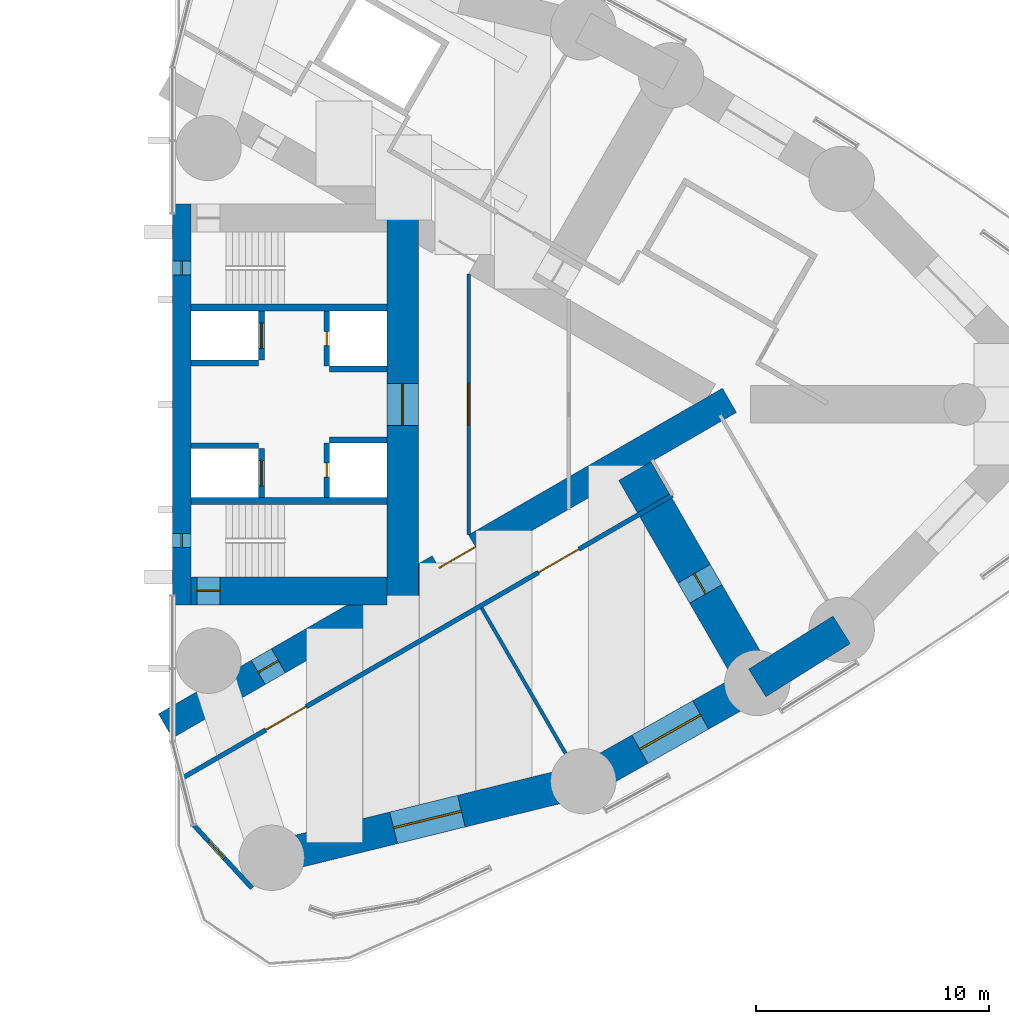
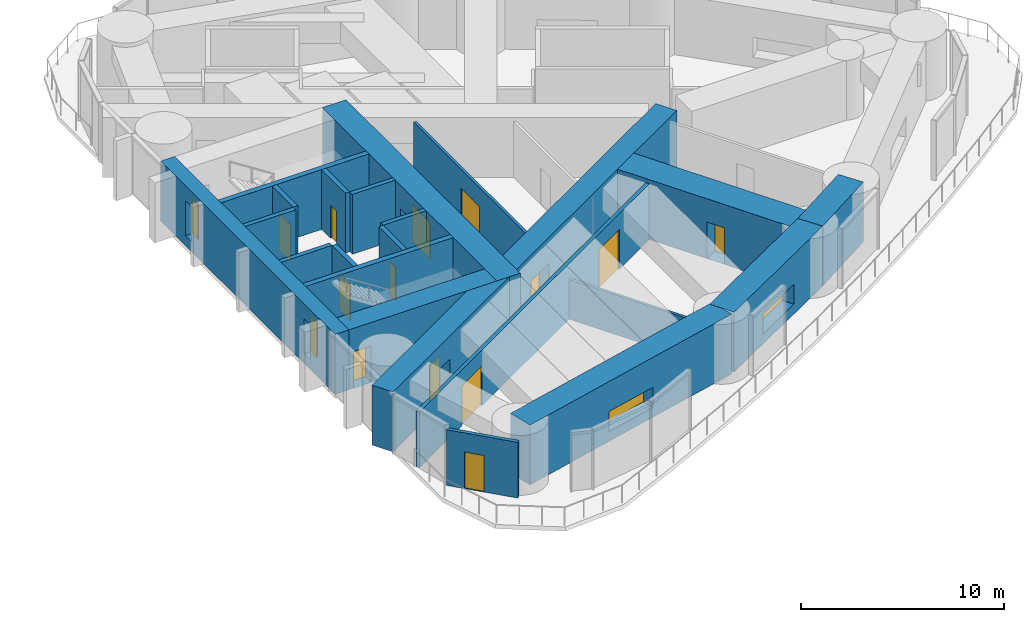
# One storey, part 13 of 17: 22 walls, 13 doors, 4 windows, 17 openings.
"""IFC4 building model written with IfcOpenShell, lengths in metres."""

from ifc_helpers import new_model, si_unit, direction, frame, frame_2d, origin, place, context, subcontext, project, spatial, rectangle, extrude, material, layer, layer_set, type_object, element, fill, save


model = new_model("IFC4")

# Units and contexts
model_context = context("Model", 3, precision=1e-05, world=origin(), true_north=direction((0.0, 1.0)))
body_context = subcontext(model_context, "Body", "Model", "MODEL_VIEW")
ifc_project = project(units=[si_unit("LENGTHUNIT", "METRE"), si_unit("AREAUNIT", "SQUARE_METRE"), si_unit("VOLUMEUNIT", "CUBIC_METRE"), si_unit("PLANEANGLEUNIT", "RADIAN"), si_unit("MASSUNIT", "GRAM", prefix="KILO")], contexts=[model_context])

# Site, building, storey
site_placement = place(None, origin())
site = spatial("IfcSite", under=ifc_project, at=site_placement, CompositionType="ELEMENT")
building_placement = place(site_placement, origin())
building = spatial("IfcBuilding", under=site, at=building_placement, Name="Lancet Gate Hotel", CompositionType="ELEMENT")
storey_placement = place(building_placement, frame((0.0, 0.0, 152.699951171875)))
storey = spatial("IfcBuildingStorey", under=building, at=storey_placement, Name="L40", CompositionType="ELEMENT", Elevation=152.699951171875)

# Wall, opening, window
ifc_material_1 = material(Name="Concrete C80/95", Category="concrete")
ifc_layer_1 = layer(ifc_material_1, 1.39990234375)
ifc_layer_set_1 = layer_set([ifc_layer_1], Name="Belt wall 1400")
wall_type_1 = type_object("IfcWallType", Name="Belt wall 1400", PredefinedType="SHEAR", material=ifc_layer_set_1)
wall_1_placement = place(storey_placement, frame((31.759765625, -19.455810546875, 0.0), z_axis=(0.0, 0.0, 1.0), x_axis=(0.971093253227, 0.238700426344, 0.0)))
wall_1 = element("IfcWall", 1, at=wall_1_placement, inside=storey, type_object=wall_type_1, Name="T2 belt wall CS-OS1 L40", PredefinedType="SHEAR", context=body_context, shape_type="SweptSolid", body=[
    extrude(rectangle(XDim=13.77197265625, YDim=1.39990234375, at=frame_2d((6.885986328125, 0.0))), origin(), (0.0, 0.0, 1.0), 3.60009765625),
])
opening_1_placement = place(wall_1_placement, frame((5.385986328125, 0.0, 0.60009765625)))
opening_1 = element("IfcOpeningElement", 2, at=opening_1_placement, cuts=wall_1, Name="Opening LV1", PredefinedType="OPENING", context=body_context, shape_type="SweptSolid", body=[
    extrude(rectangle(XDim=3.0, YDim=1.199951171875, at=frame_2d((1.5, 0.60009765625))), frame((0.0, 0.7099609375, 0.0), z_axis=(0.0, -1.0, 0.0), x_axis=(1.0, 0.0, 0.0)), (0.0, 0.0, 1.0), 1.419921875),
])
ifc_material_2 = material(Name="Aluminium weather louvre", Category="aluminium")
window_type_1 = type_object("IfcWindowType", Name="Refuge louvre 3000x1200", PartitioningType="SINGLE_PANEL", PredefinedType="WINDOW", material=ifc_material_2)
window_1_placement = place(opening_1_placement, origin())
window_1 = element("IfcWindow", 3, at=window_1_placement, inside=storey, type_object=window_type_1, Name="T2 belt louvre CS-OS1 L40", OverallHeight=1.199951171875, OverallWidth=3.0, PartitioningType="SINGLE_PANEL", PredefinedType="WINDOW", context=body_context, shape_type="SweptSolid", body=[
    extrude(rectangle(XDim=3.0, YDim=1.199951171875, at=frame_2d((1.5, 0.60009765625))), frame((0.0, 0.030029296875, 0.0), z_axis=(0.0, -1.0, 0.0), x_axis=(1.0, 0.0, 0.0)), (0.0, 0.0, 1.0), 0.06005859375),
])
fill(opening_1, window_1)

wall_2_placement = place(storey_placement, frame((45.133544921875, -16.16845703125, 0.0), z_axis=(0.0, 0.0, 1.0), x_axis=(0.870721990329, 0.491775574381, 0.0)))
wall_2 = element("IfcWall", 4, at=wall_2_placement, inside=storey, type_object=wall_type_1, Name="T2 belt wall OS1-OS2 L40", PredefinedType="SHEAR", context=body_context, shape_type="SweptSolid", body=[
    extrude(rectangle(XDim=8.568603515625, YDim=1.39990234375, at=frame_2d((4.2841796875, 0.0))), origin(), (0.0, 0.0, 1.0), 3.60009765625),
])
opening_2_placement = place(wall_2_placement, frame((2.7841796875, 0.0, 0.60009765625)))
opening_2 = element("IfcOpeningElement", 5, at=opening_2_placement, cuts=wall_2, Name="Opening LV1", PredefinedType="OPENING", context=body_context, shape_type="SweptSolid", body=[
    extrude(rectangle(XDim=3.0, YDim=1.199951171875, at=frame_2d((1.5, 0.60009765625))), frame((0.0, 0.7099609375, 0.0), z_axis=(0.0, -1.0, 0.0), x_axis=(1.0, 0.0, 0.0)), (0.0, 0.0, 1.0), 1.419921875),
])
window_2_placement = place(opening_2_placement, origin())
window_2 = element("IfcWindow", 6, at=window_2_placement, inside=storey, type_object=window_type_1, Name="T2 belt louvre OS1-OS2 L40", OverallHeight=1.199951171875, OverallWidth=3.0, PartitioningType="SINGLE_PANEL", PredefinedType="WINDOW", context=body_context, shape_type="SweptSolid", body=[
    extrude(rectangle(XDim=3.0, YDim=1.199951171875, at=frame_2d((1.5, 0.60009765625))), frame((0.0, 0.030029296875, 0.0), z_axis=(0.0, -1.0, 0.0), x_axis=(1.0, 0.0, 0.0)), (0.0, 0.0, 1.0), 0.06005859375),
])
fill(opening_2, window_2)

# Wall
wall_3_placement = place(storey_placement, frame((52.594482421875, -11.95458984375, 0.0), z_axis=(0.0, 0.0, 1.0), x_axis=(0.846348902569, 0.532628890617, 0.0)))
element("IfcWall", 7, at=wall_3_placement, inside=storey, type_object=wall_type_1, Name="T2 belt wall OS2-OS3 L40", PredefinedType="SHEAR", context=body_context, shape_type="SweptSolid", body=[
    extrude(rectangle(XDim=4.284912109375, YDim=1.39990234375, at=frame_2d((2.142578125, 0.0))), origin(), (0.0, 0.0, 1.0), 3.60009765625),
])

# Wall, openings, doors
ifc_material_3 = material(Name="Concrete C70/85", Category="concrete")
ifc_layer_2 = layer(ifc_material_3, 1.199951171875)
ifc_layer_set_2 = layer_set([ifc_layer_2], Name="Buttress wall 1200")
wall_type_2 = type_object("IfcWallType", Name="Buttress wall 1200", PredefinedType="SHEAR", material=ifc_layer_set_2)
wall_4_placement = place(storey_placement, frame((27.199951171875, -13.800048828125, 0.0), z_axis=(0.0, 0.0, 1.0), x_axis=(0.866027159892, 0.499996958321, 0.0)))
wall_4 = element("IfcWall", 8, at=wall_4_placement, inside=storey, type_object=wall_type_2, Name="T2 buttress wall S L40", PredefinedType="SHEAR", context=body_context, shape_type="SweptSolid", body=[
    extrude(rectangle(XDim=27.946533203125, YDim=1.199951171875, at=frame_2d((13.97314453125, 0.0))), origin(), (0.0, 0.0, 1.0), 3.60009765625),
])
opening_3_placement = place(wall_4_placement, frame((4.60009765625, 0.0, 0.0)))
opening_3 = element("IfcOpeningElement", 9, at=opening_3_placement, cuts=wall_4, Name="Opening T2-L40-LS", PredefinedType="OPENING", context=body_context, shape_type="SweptSolid", body=[
    extrude(rectangle(XDim=1.0, YDim=2.199951171875, at=frame_2d((0.5, 1.10009765625))), frame((0.0, 0.60986328125, 0.0), z_axis=(0.0, -1.0, 0.0), x_axis=(1.0, 0.0, 0.0)), (0.0, 0.0, 1.0), 1.219970703125),
])
opening_4_placement = place(wall_4_placement, frame((13.567626953125, 0.0, 0.0)))
opening_4 = element("IfcOpeningElement", 10, at=opening_4_placement, cuts=wall_4, Name="Opening T2-L40-LHS", PredefinedType="OPENING", context=body_context, shape_type="SweptSolid", body=[
    extrude(rectangle(XDim=1.800048828125, YDim=2.0400390625, at=frame_2d((0.89990234375, 1.02001953125))), frame((0.0, 0.60986328125, 0.0), z_axis=(0.0, -1.0, 0.0), x_axis=(1.0, 0.0, 0.0)), (0.0, 0.0, 1.0), 1.219970703125),
])
ifc_material_4 = material(Name="Timber door set", Category="wood")
door_type_1 = type_object("IfcDoorType", Name="Lobby double door 1800, 2040 high", OperationType="DOUBLE_DOOR_SINGLE_SWING", PredefinedType="DOOR", material=ifc_material_4)
door_1_placement = place(opening_4_placement, origin())
door_1 = element("IfcDoor", 11, at=door_1_placement, inside=storey, type_object=door_type_1, Name="T2-L40-LHS", OperationType="DOUBLE_DOOR_SINGLE_SWING", OverallHeight=2.0400390625, OverallWidth=1.800048828125, PredefinedType="DOOR", context=body_context, shape_type="SweptSolid", body=[
    extrude(rectangle(XDim=1.800048828125, YDim=2.0400390625, at=frame_2d((0.89990234375, 1.02001953125))), frame((0.0, 0.02490234375, 0.0), z_axis=(0.0, -1.0, 0.0), x_axis=(1.0, 0.0, 0.0)), (0.0, 0.0, 1.0), 0.050048828125),
])
fill(opening_4, door_1)
ifc_material_5 = material(Name="Timber door set", Category="wood")
door_type_2 = type_object("IfcDoorType", Name="Stair lobby door 1000", OperationType="SINGLE_SWING_LEFT", PredefinedType="DOOR", material=ifc_material_5)
door_2_placement = place(opening_3_placement, origin())
door_2 = element("IfcDoor", 12, at=door_2_placement, inside=storey, type_object=door_type_2, Name="T2-L40-LS", OperationType="SINGLE_SWING_LEFT", OverallHeight=2.199951171875, OverallWidth=1.0, PredefinedType="DOOR", context=body_context, shape_type="SweptSolid", body=[
    extrude(rectangle(XDim=1.0, YDim=2.199951171875, at=frame_2d((0.5, 1.10009765625))), frame((0.0, 0.02490234375, 0.0), z_axis=(0.0, -1.0, 0.0), x_axis=(1.0, 0.0, 0.0)), (0.0, 0.0, 1.0), 0.050048828125),
])
fill(opening_3, door_2)

# Wall, opening, door
ifc_material_6 = material(Name="Concrete C70/85", Category="concrete")
ifc_layer_3 = layer(ifc_material_6, 1.35009765625)
ifc_layer_set_3 = layer_set([ifc_layer_3], Name="Core back wall 1350, outrigger storeys")
wall_type_3 = type_object("IfcWallType", Name="Core back wall 1350, outrigger storeys", PredefinedType="SHEAR", material=ifc_layer_set_3)
wall_5_placement = place(storey_placement, frame((37.375, -8.60009765625, 0.0), z_axis=(0.0, 0.0, 1.0), x_axis=(0.0, 1.0, 0.0)))
wall_5 = element("IfcWall", 13, at=wall_5_placement, inside=storey, type_object=wall_type_3, Name="T2 core wall back L40", PredefinedType="SHEAR", context=body_context, shape_type="SweptSolid", body=[
    extrude(rectangle(XDim=17.2001953125, YDim=1.35009765625, at=frame_2d((8.60009765625, 0.0))), origin(), (0.0, 0.0, 1.0), 3.60009765625),
])
opening_5_placement = place(wall_5_placement, frame((7.699951171875, 0.0, 0.0)))
opening_5 = element("IfcOpeningElement", 14, at=opening_5_placement, cuts=wall_5, Name="Opening T2-L40-LL", PredefinedType="OPENING", context=body_context, shape_type="SweptSolid", body=[
    extrude(rectangle(XDim=1.800048828125, YDim=2.199951171875, at=frame_2d((0.89990234375, 1.10009765625))), frame((0.0, 0.68505859375, 0.0), z_axis=(0.0, -1.0, 0.0), x_axis=(1.0, 0.0, 0.0)), (0.0, 0.0, 1.0), 1.3701171875),
])
ifc_material_7 = material(Name="Timber door set", Category="wood")
door_type_3 = type_object("IfcDoorType", Name="Lobby double door 1800", OperationType="DOUBLE_DOOR_SINGLE_SWING", PredefinedType="DOOR", material=ifc_material_7)
door_3_placement = place(opening_5_placement, origin())
door_3 = element("IfcDoor", 15, at=door_3_placement, inside=storey, type_object=door_type_3, Name="T2-L40-LL", OperationType="DOUBLE_DOOR_SINGLE_SWING", OverallHeight=2.199951171875, OverallWidth=1.800048828125, PredefinedType="DOOR", context=body_context, shape_type="SweptSolid", body=[
    extrude(rectangle(XDim=1.800048828125, YDim=2.199951171875, at=frame_2d((0.89990234375, 1.10009765625))), frame((0.0, 0.02490234375, 0.0), z_axis=(0.0, -1.0, 0.0), x_axis=(1.0, 0.0, 0.0)), (0.0, 0.0, 1.0), 0.050048828125),
])
fill(opening_5, door_3)

ifc_material_8 = material(Name="Concrete C70/85", Category="concrete")
ifc_layer_4 = layer(ifc_material_8, 1.199951171875)
ifc_layer_set_4 = layer_set([ifc_layer_4], Name="Core wall 1200")
wall_type_4 = type_object("IfcWallType", Name="Core wall 1200", PredefinedType="SHEAR", material=ifc_layer_set_4)
wall_6_placement = place(storey_placement, frame((28.300048828125, -8.0, 0.0), z_axis=(0.0, 0.0, 1.0), x_axis=(1.0, 0.0, 0.0)))
wall_6 = element("IfcWall", 16, at=wall_6_placement, inside=storey, type_object=wall_type_4, Name="T2 core wall side-S L40", PredefinedType="SHEAR", context=body_context, shape_type="SweptSolid", body=[
    extrude(rectangle(XDim=8.39990234375, YDim=1.199951171875, at=frame_2d((4.199951171875, 0.0))), origin(), (0.0, 0.0, 1.0), 3.60009765625),
])
opening_6_placement = place(wall_6_placement, frame((0.25, 0.0, 0.0)))
opening_6 = element("IfcOpeningElement", 17, at=opening_6_placement, cuts=wall_6, Name="Opening T2-L40-ST1", PredefinedType="OPENING", context=body_context, shape_type="SweptSolid", body=[
    extrude(rectangle(XDim=1.0, YDim=2.199951171875, at=frame_2d((0.5, 1.10009765625))), frame((0.0, 0.60986328125, 0.0), z_axis=(0.0, -1.0, 0.0), x_axis=(1.0, 0.0, 0.0)), (0.0, 0.0, 1.0), 1.219970703125),
])
ifc_material_9 = material(Name="Timber door set", Category="wood")
door_type_4 = type_object("IfcDoorType", Name="Stair door 1000", OperationType="SINGLE_SWING_RIGHT", PredefinedType="DOOR", material=ifc_material_9)
door_4_placement = place(opening_6_placement, origin())
door_4 = element("IfcDoor", 18, at=door_4_placement, inside=storey, type_object=door_type_4, Name="T2-L40-ST1", OperationType="SINGLE_SWING_RIGHT", OverallHeight=2.199951171875, OverallWidth=1.0, PredefinedType="DOOR", context=body_context, shape_type="SweptSolid", body=[
    extrude(rectangle(XDim=1.0, YDim=2.199951171875, at=frame_2d((0.5, 1.10009765625))), frame((0.0, 0.02490234375, 0.0), z_axis=(0.0, -1.0, 0.0), x_axis=(1.0, 0.0, 0.0)), (0.0, 0.0, 1.0), 0.050048828125),
])
fill(opening_6, door_4)

# Wall, openings, windows
ifc_material_10 = material(Name="Concrete C70/85", Category="concrete")
ifc_layer_5 = layer(ifc_material_10, 0.800048828125)
ifc_layer_set_5 = layer_set([ifc_layer_5], Name="Core wall 800")
wall_type_5 = type_object("IfcWallType", Name="Core wall 800", PredefinedType="SHEAR", material=ifc_layer_set_5)
wall_7_placement = place(storey_placement, frame((27.89990234375, -8.60009765625, 0.0), z_axis=(0.0, 0.0, 1.0), x_axis=(0.0, 1.0, 0.0)))
wall_7 = element("IfcWall", 19, at=wall_7_placement, inside=storey, type_object=wall_type_5, Name="T2 core wall front L40", PredefinedType="SHEAR", context=body_context, shape_type="SweptSolid", body=[
    extrude(rectangle(XDim=17.2001953125, YDim=0.800048828125, at=frame_2d((8.60009765625, 0.0))), origin(), (0.0, 0.0, 1.0), 3.60009765625),
])
opening_7_placement = place(wall_7_placement, frame((2.449951171875, 0.0, 0.60009765625)))
opening_7 = element("IfcOpeningElement", 20, at=opening_7_placement, cuts=wall_7, Name="Opening LW1", PredefinedType="OPENING", context=body_context, shape_type="SweptSolid", body=[
    extrude(rectangle(XDim=0.60009765625, YDim=2.10009765625, at=frame_2d((0.300048828125, 1.050048828125))), frame((0.0, 0.409912109375, 0.0), z_axis=(0.0, -1.0, 0.0), x_axis=(1.0, 0.0, 0.0)), (0.0, 0.0, 1.0), 0.820068359375),
])
opening_8_placement = place(wall_7_placement, frame((14.14990234375, 0.0, 0.60009765625)))
opening_8 = element("IfcOpeningElement", 21, at=opening_8_placement, cuts=wall_7, Name="Opening LW1", PredefinedType="OPENING", context=body_context, shape_type="SweptSolid", body=[
    extrude(rectangle(XDim=0.60009765625, YDim=2.10009765625, at=frame_2d((0.300048828125, 1.050048828125))), frame((0.0, 0.409912109375, 0.0), z_axis=(0.0, -1.0, 0.0), x_axis=(1.0, 0.0, 0.0)), (0.0, 0.0, 1.0), 0.820068359375),
])
ifc_material_11 = material(Name="Fire-resisting glazed steel window", Category="steel")
window_type_2 = type_object("IfcWindowType", Name="Lancet window 600x2100", PartitioningType="SINGLE_PANEL", PredefinedType="WINDOW", material=ifc_material_11)
window_3_placement = place(opening_7_placement, origin())
window_3 = element("IfcWindow", 22, at=window_3_placement, inside=storey, type_object=window_type_2, Name="T2 stair window S L40", OverallHeight=2.10009765625, OverallWidth=0.60009765625, PartitioningType="SINGLE_PANEL", PredefinedType="WINDOW", context=body_context, shape_type="SweptSolid", body=[
    extrude(rectangle(XDim=0.60009765625, YDim=2.10009765625, at=frame_2d((0.300048828125, 1.050048828125))), frame((0.0, 0.030029296875, 0.0), z_axis=(0.0, -1.0, 0.0), x_axis=(1.0, 0.0, 0.0)), (0.0, 0.0, 1.0), 0.06005859375),
])
fill(opening_7, window_3)
window_4_placement = place(opening_8_placement, origin())
window_4 = element("IfcWindow", 23, at=window_4_placement, inside=storey, type_object=window_type_2, Name="T2 stair window N L40", OverallHeight=2.10009765625, OverallWidth=0.60009765625, PartitioningType="SINGLE_PANEL", PredefinedType="WINDOW", context=body_context, shape_type="SweptSolid", body=[
    extrude(rectangle(XDim=0.60009765625, YDim=2.10009765625, at=frame_2d((0.300048828125, 1.050048828125))), frame((0.0, 0.030029296875, 0.0), z_axis=(0.0, -1.0, 0.0), x_axis=(1.0, 0.0, 0.0)), (0.0, 0.0, 1.0), 0.06005859375),
])
fill(opening_8, window_4)

# Wall, openings, doors
ifc_material_12 = material(Name="Gypsum board partition")
ifc_layer_6 = layer(ifc_material_12, 0.199951171875)
ifc_layer_set_6 = layer_set([ifc_layer_6], Name="Corridor wall 200")
wall_type_6 = type_object("IfcWallType", Name="Corridor wall 200", PredefinedType="PARTITIONING", material=ifc_layer_set_6)
wall_8_placement = place(storey_placement, frame((27.902587890625, -16.05029296875, 0.0), z_axis=(0.0, 0.0, 1.0), x_axis=(0.86602417537, 0.500002127671, 0.0)))
wall_8 = element("IfcWall", 24, at=wall_8_placement, inside=storey, type_object=wall_type_6, Name="T2 corridor wall 200 L40", PredefinedType="PARTITIONING", context=body_context, shape_type="SweptSolid", body=[
    extrude(rectangle(XDim=24.306640625, YDim=0.199951171875, at=frame_2d((12.1533203125, 0.0))), origin(), (0.0, 0.0, 1.0), 3.35009765625),
])
opening_9_placement = place(wall_8_placement, frame((4.162109375, 0.0, 0.0)))
opening_9 = element("IfcOpeningElement", 25, at=opening_9_placement, cuts=wall_8, Name="Opening T2-L40-RD01", PredefinedType="OPENING", context=body_context, shape_type="SweptSolid", body=[
    extrude(rectangle(XDim=2.0, YDim=2.39990234375, at=frame_2d((1.0, 1.199951171875))), frame((0.0, 0.10986328125, 0.0), z_axis=(0.0, -1.0, 0.0), x_axis=(1.0, 0.0, 0.0)), (0.0, 0.0, 1.0), 0.219970703125),
])
opening_10_placement = place(wall_8_placement, frame((17.67822265625, 0.0, 0.0)))
opening_10 = element("IfcOpeningElement", 26, at=opening_10_placement, cuts=wall_8, Name="Opening T2-L40-RD02", PredefinedType="OPENING", context=body_context, shape_type="SweptSolid", body=[
    extrude(rectangle(XDim=2.0, YDim=2.39990234375, at=frame_2d((1.0, 1.199951171875))), frame((0.0, 0.10986328125, 0.0), z_axis=(0.0, -1.0, 0.0), x_axis=(1.0, 0.0, 0.0)), (0.0, 0.0, 1.0), 0.219970703125),
])
ifc_material_13 = material(Name="Timber door set", Category="wood")
door_type_5 = type_object("IfcDoorType", Name="Plant room double door 2000", OperationType="DOUBLE_DOOR_SINGLE_SWING", PredefinedType="DOOR", material=ifc_material_13)
door_5_placement = place(opening_9_placement, origin())
door_5 = element("IfcDoor", 27, at=door_5_placement, inside=storey, type_object=door_type_5, Name="T2-L40-RD01", OperationType="DOUBLE_DOOR_SINGLE_SWING", OverallHeight=2.39990234375, OverallWidth=2.0, PredefinedType="DOOR", context=body_context, shape_type="SweptSolid", body=[
    extrude(rectangle(XDim=2.0, YDim=2.39990234375, at=frame_2d((1.0, 1.199951171875))), frame((0.0, 0.02490234375, 0.0), z_axis=(0.0, -1.0, 0.0), x_axis=(1.0, 0.0, 0.0)), (0.0, 0.0, 1.0), 0.050048828125),
])
fill(opening_9, door_5)
door_6_placement = place(opening_10_placement, origin())
door_6 = element("IfcDoor", 28, at=door_6_placement, inside=storey, type_object=door_type_5, Name="T2-L40-RD02", OperationType="DOUBLE_DOOR_SINGLE_SWING", OverallHeight=2.39990234375, OverallWidth=2.0, PredefinedType="DOOR", context=body_context, shape_type="SweptSolid", body=[
    extrude(rectangle(XDim=2.0, YDim=2.39990234375, at=frame_2d((1.0, 1.199951171875))), frame((0.0, 0.02490234375, 0.0), z_axis=(0.0, -1.0, 0.0), x_axis=(1.0, 0.0, 0.0)), (0.0, 0.0, 1.0), 0.050048828125),
])
fill(opening_10, door_6)

# Wall, opening, door
ifc_material_14 = material(Name="Glazed aluminium screen", Category="aluminium")
ifc_layer_7 = layer(ifc_material_14, 0.199951171875)
ifc_layer_set_7 = layer_set([ifc_layer_7], Name="Glazed entrance screen 200")
wall_type_7 = type_object("IfcWallType", Name="Glazed entrance screen 200", PredefinedType="STANDARD", material=ifc_layer_set_7)
wall_9_placement = place(storey_placement, frame((30.91552734375, -20.755859375, 0.0), z_axis=(0.0, 0.0, 1.0), x_axis=(-0.678826386316, 0.734298806509, 0.0)))
wall_9 = element("IfcWall", 29, at=wall_9_placement, inside=storey, type_object=wall_type_7, Name="T2 maintenance roof screen L40", PredefinedType="STANDARD", context=body_context, shape_type="SweptSolid", body=[
    extrude(rectangle(XDim=3.692626953125, YDim=0.199951171875, at=frame_2d((1.84619140625, 0.0))), origin(), (0.0, 0.0, 1.0), 3.35009765625),
])
opening_11_placement = place(wall_9_placement, frame((1.74609375, 0.0, 0.0)))
opening_11 = element("IfcOpeningElement", 30, at=opening_11_placement, cuts=wall_9, Name="Opening T2-L40-MR", PredefinedType="OPENING", context=body_context, shape_type="SweptSolid", body=[
    extrude(rectangle(XDim=1.0, YDim=2.199951171875, at=frame_2d((0.5, 1.10009765625))), frame((0.0, 0.10986328125, 0.0), z_axis=(0.0, -1.0, 0.0), x_axis=(1.0, 0.0, 0.0)), (0.0, 0.0, 1.0), 0.219970703125),
])
ifc_material_15 = material(Name="Steel door set, weather sealed", Category="steel")
door_type_6 = type_object("IfcDoorType", Name="Maintenance roof door 1000 external", OperationType="SINGLE_SWING_LEFT", PredefinedType="DOOR", material=ifc_material_15)
door_7_placement = place(opening_11_placement, origin())
door_7 = element("IfcDoor", 31, at=door_7_placement, inside=storey, type_object=door_type_6, Name="Maintenance roof access door T2-L40-MR", OperationType="SINGLE_SWING_LEFT", OverallHeight=2.199951171875, OverallWidth=1.0, PredefinedType="DOOR", context=body_context, shape_type="SweptSolid", body=[
    extrude(rectangle(XDim=1.0, YDim=2.199951171875, at=frame_2d((0.5, 1.10009765625))), frame((0.0, 0.02490234375, 0.0), z_axis=(0.0, -1.0, 0.0), x_axis=(1.0, 0.0, 0.0)), (0.0, 0.0, 1.0), 0.050048828125),
])
fill(opening_11, door_7)

ifc_material_16 = material(Name="Concrete C50/60", Category="concrete")
ifc_layer_8 = layer(ifc_material_16, 0.25)
ifc_layer_set_8 = layer_set([ifc_layer_8], Name="Lift shaft wall 250")
wall_type_8 = type_object("IfcWallType", Name="Lift shaft wall 250", PredefinedType="SHEAR", material=ifc_layer_set_8)
wall_10_placement = place(storey_placement, frame((31.324951171875, -4.0, 0.0), z_axis=(0.0, 0.0, 1.0), x_axis=(0.0, 1.0, 0.0)))
wall_10 = element("IfcWall", 32, at=wall_10_placement, inside=storey, type_object=wall_type_8, Name="T2 core wall row1-S L40", PredefinedType="SHEAR", context=body_context, shape_type="SweptSolid", body=[
    extrude(rectangle(XDim=2.10009765625, YDim=0.25, at=frame_2d((1.050048828125, 0.0))), origin(), (0.0, 0.0, 1.0), 3.60009765625),
])
opening_12_placement = place(wall_10_placement, frame((0.5, 0.0, 0.0)))
opening_12 = element("IfcOpeningElement", 33, at=opening_12_placement, cuts=wall_10, Name="Opening T2-SL1-L40", PredefinedType="OPENING", context=body_context, shape_type="SweptSolid", body=[
    extrude(rectangle(XDim=1.10009765625, YDim=2.199951171875, at=frame_2d((0.550048828125, 1.10009765625))), frame((0.0, 0.135009765625, 0.0), z_axis=(0.0, -1.0, 0.0), x_axis=(1.0, 0.0, 0.0)), (0.0, 0.0, 1.0), 0.27001953125),
])
ifc_material_17 = material(Name="Timber door set", Category="wood")
door_type_7 = type_object("IfcDoorType", Name="Service lift landing door 1100", OperationType="SLIDING_TO_LEFT", PredefinedType="USERDEFINED", material=ifc_material_17)
door_8_placement = place(opening_12_placement, origin())
door_8 = element("IfcDoor", 34, at=door_8_placement, inside=storey, type_object=door_type_7, Name="T2-SL1-L40", ObjectType="LIFT LANDING DOOR", OperationType="SLIDING_TO_LEFT", OverallHeight=2.199951171875, OverallWidth=1.10009765625, PredefinedType="USERDEFINED", context=body_context, shape_type="SweptSolid", body=[
    extrude(rectangle(XDim=1.10009765625, YDim=2.199951171875, at=frame_2d((0.550048828125, 1.10009765625))), frame((0.0, 0.02490234375, 0.0), z_axis=(0.0, -1.0, 0.0), x_axis=(1.0, 0.0, 0.0)), (0.0, 0.0, 1.0), 0.050048828125),
])
fill(opening_12, door_8)

wall_11_placement = place(storey_placement, frame((34.125, -4.0, 0.0), z_axis=(0.0, 0.0, 1.0), x_axis=(0.0, 1.0, 0.0)))
wall_11 = element("IfcWall", 35, at=wall_11_placement, inside=storey, type_object=wall_type_8, Name="T2 core wall row2-S L40", PredefinedType="SHEAR", context=body_context, shape_type="SweptSolid", body=[
    extrude(rectangle(XDim=2.35009765625, YDim=0.25, at=frame_2d((1.175048828125, 0.0))), origin(), (0.0, 0.0, 1.0), 3.60009765625),
])
opening_13_placement = place(wall_11_placement, frame((0.875, 0.0, 0.0)))
opening_13 = element("IfcOpeningElement", 36, at=opening_13_placement, cuts=wall_11, Name="Opening T2-OL3-L40-E", PredefinedType="OPENING", context=body_context, shape_type="SweptSolid", body=[
    extrude(rectangle(XDim=0.60009765625, YDim=2.0, at=frame_2d((0.300048828125, 1.0))), frame((0.0, 0.135009765625, 0.0), z_axis=(0.0, -1.0, 0.0), x_axis=(1.0, 0.0, 0.0)), (0.0, 0.0, 1.0), 0.27001953125),
])
ifc_material_18 = material(Name="Steel door set", Category="steel")
door_type_8 = type_object("IfcDoorType", Name="Lift shaft emergency door 600x2000", OperationType="SLIDING_TO_LEFT", PredefinedType="DOOR", material=ifc_material_18)
door_9_placement = place(opening_13_placement, origin())
door_9 = element("IfcDoor", 37, at=door_9_placement, inside=storey, type_object=door_type_8, Name="T2-OL3-L40-E", OperationType="SLIDING_TO_LEFT", OverallHeight=2.0, OverallWidth=0.60009765625, PredefinedType="DOOR", context=body_context, shape_type="SweptSolid", body=[
    extrude(rectangle(XDim=0.60009765625, YDim=2.0, at=frame_2d((0.300048828125, 1.0))), frame((0.0, 0.02490234375, 0.0), z_axis=(0.0, -1.0, 0.0), x_axis=(1.0, 0.0, 0.0)), (0.0, 0.0, 1.0), 0.050048828125),
])
fill(opening_13, door_9)

# Walls
wall_12_placement = place(storey_placement, frame((28.300048828125, -1.77490234375, 0.0), z_axis=(0.0, 0.0, 1.0), x_axis=(1.0, 0.0, 0.0)))
element("IfcWall", 38, at=wall_12_placement, inside=storey, type_object=wall_type_8, Name="T2 core wall pass1-S L40", PredefinedType="SHEAR", context=body_context, shape_type="SweptSolid", body=[
    extrude(rectangle(XDim=2.89990234375, YDim=0.25, at=frame_2d((1.449951171875, 0.0))), origin(), (0.0, 0.0, 1.0), 3.60009765625),
])
wall_13_placement = place(storey_placement, frame((34.25, -1.52490234375, 0.0), z_axis=(0.0, 0.0, 1.0), x_axis=(1.0, 0.0, 0.0)))
element("IfcWall", 39, at=wall_13_placement, inside=storey, type_object=wall_type_8, Name="T2 core wall pass2-S L40", PredefinedType="SHEAR", context=body_context, shape_type="SweptSolid", body=[
    extrude(rectangle(XDim=2.449951171875, YDim=0.25, at=frame_2d((1.22509765625, 0.0))), origin(), (0.0, 0.0, 1.0), 3.60009765625),
])

# Wall, opening, door
wall_14_placement = place(storey_placement, frame((31.324951171875, 1.89990234375, 0.0), z_axis=(0.0, 0.0, 1.0), x_axis=(0.0, 1.0, 0.0)))
wall_14 = element("IfcWall", 40, at=wall_14_placement, inside=storey, type_object=wall_type_8, Name="T2 core wall row1-N L40", PredefinedType="SHEAR", context=body_context, shape_type="SweptSolid", body=[
    extrude(rectangle(XDim=2.10009765625, YDim=0.25, at=frame_2d((1.050048828125, 0.0))), origin(), (0.0, 0.0, 1.0), 3.60009765625),
])
opening_14_placement = place(wall_14_placement, frame((0.5, 0.0, 0.0)))
opening_14 = element("IfcOpeningElement", 41, at=opening_14_placement, cuts=wall_14, Name="Opening T2-FL2-L40", PredefinedType="OPENING", context=body_context, shape_type="SweptSolid", body=[
    extrude(rectangle(XDim=1.10009765625, YDim=2.199951171875, at=frame_2d((0.550048828125, 1.10009765625))), frame((0.0, 0.135009765625, 0.0), z_axis=(0.0, -1.0, 0.0), x_axis=(1.0, 0.0, 0.0)), (0.0, 0.0, 1.0), 0.27001953125),
])
ifc_material_19 = material(Name="Steel door set", Category="steel")
door_type_9 = type_object("IfcDoorType", Name="Firefighting lift landing door 1100", OperationType="SLIDING_TO_LEFT", PredefinedType="USERDEFINED", material=ifc_material_19)
door_10_placement = place(opening_14_placement, origin())
door_10 = element("IfcDoor", 42, at=door_10_placement, inside=storey, type_object=door_type_9, Name="T2-FL2-L40", ObjectType="LIFT LANDING DOOR", OperationType="SLIDING_TO_LEFT", OverallHeight=2.199951171875, OverallWidth=1.10009765625, PredefinedType="USERDEFINED", context=body_context, shape_type="SweptSolid", body=[
    extrude(rectangle(XDim=1.10009765625, YDim=2.199951171875, at=frame_2d((0.550048828125, 1.10009765625))), frame((0.0, 0.02490234375, 0.0), z_axis=(0.0, -1.0, 0.0), x_axis=(1.0, 0.0, 0.0)), (0.0, 0.0, 1.0), 0.050048828125),
])
fill(opening_14, door_10)

wall_15_placement = place(storey_placement, frame((34.125, 1.64990234375, 0.0), z_axis=(0.0, 0.0, 1.0), x_axis=(0.0, 1.0, 0.0)))
wall_15 = element("IfcWall", 43, at=wall_15_placement, inside=storey, type_object=wall_type_8, Name="T2 core wall row2-N L40", PredefinedType="SHEAR", context=body_context, shape_type="SweptSolid", body=[
    extrude(rectangle(XDim=2.35009765625, YDim=0.25, at=frame_2d((1.175048828125, 0.0))), origin(), (0.0, 0.0, 1.0), 3.60009765625),
])
opening_15_placement = place(wall_15_placement, frame((0.875, 0.0, 0.0)))
opening_15 = element("IfcOpeningElement", 44, at=opening_15_placement, cuts=wall_15, Name="Opening T2-OL4-L40-E", PredefinedType="OPENING", context=body_context, shape_type="SweptSolid", body=[
    extrude(rectangle(XDim=0.60009765625, YDim=2.0, at=frame_2d((0.300048828125, 1.0))), frame((0.0, 0.135009765625, 0.0), z_axis=(0.0, -1.0, 0.0), x_axis=(1.0, 0.0, 0.0)), (0.0, 0.0, 1.0), 0.27001953125),
])
door_11_placement = place(opening_15_placement, origin())
door_11 = element("IfcDoor", 45, at=door_11_placement, inside=storey, type_object=door_type_8, Name="T2-OL4-L40-E", OperationType="SLIDING_TO_LEFT", OverallHeight=2.0, OverallWidth=0.60009765625, PredefinedType="DOOR", context=body_context, shape_type="SweptSolid", body=[
    extrude(rectangle(XDim=0.60009765625, YDim=2.0, at=frame_2d((0.300048828125, 1.0))), frame((0.0, 0.02490234375, 0.0), z_axis=(0.0, -1.0, 0.0), x_axis=(1.0, 0.0, 0.0)), (0.0, 0.0, 1.0), 0.050048828125),
])
fill(opening_15, door_11)

# Walls
wall_16_placement = place(storey_placement, frame((28.300048828125, 1.77490234375, 0.0), z_axis=(0.0, 0.0, 1.0), x_axis=(1.0, 0.0, 0.0)))
element("IfcWall", 46, at=wall_16_placement, inside=storey, type_object=wall_type_8, Name="T2 core wall pass1-N L40", PredefinedType="SHEAR", context=body_context, shape_type="SweptSolid", body=[
    extrude(rectangle(XDim=2.89990234375, YDim=0.25, at=frame_2d((1.449951171875, 0.0))), origin(), (0.0, 0.0, 1.0), 3.60009765625),
])
wall_17_placement = place(storey_placement, frame((34.25, 1.52490234375, 0.0), z_axis=(0.0, 0.0, 1.0), x_axis=(1.0, 0.0, 0.0)))
element("IfcWall", 47, at=wall_17_placement, inside=storey, type_object=wall_type_8, Name="T2 core wall pass2-N L40", PredefinedType="SHEAR", context=body_context, shape_type="SweptSolid", body=[
    extrude(rectangle(XDim=2.449951171875, YDim=0.25, at=frame_2d((1.22509765625, 0.0))), origin(), (0.0, 0.0, 1.0), 3.60009765625),
])

# Wall, opening, door
ifc_material_20 = material(Name="Concrete C80/95", Category="concrete")
ifc_layer_9 = layer(ifc_material_20, 1.60009765625)
ifc_layer_set_9 = layer_set([ifc_layer_9], Name="Outrigger wall 1600")
wall_type_9 = type_object("IfcWallType", Name="Outrigger wall 1600", PredefinedType="SHEAR", material=ifc_layer_set_9)
wall_18_placement = place(storey_placement, frame((47.3447265625, -2.862060546875, 0.0), z_axis=(0.0, 0.0, 1.0), x_axis=(0.500012973899, -0.866017913171, 0.0)))
wall_18 = element("IfcWall", 48, at=wall_18_placement, inside=storey, type_object=wall_type_9, Name="T2 outrigger wall OS2 L40", PredefinedType="SHEAR", context=body_context, shape_type="SweptSolid", body=[
    extrude(rectangle(XDim=10.499267578125, YDim=1.60009765625, at=frame_2d((5.24951171875, 0.0))), origin(), (0.0, 0.0, 1.0), 3.60009765625),
])
opening_16_placement = place(wall_18_placement, frame((5.086669921875, 0.0, 0.0)))
opening_16 = element("IfcOpeningElement", 49, at=opening_16_placement, cuts=wall_18, Name="Opening T2-L40-RD03", PredefinedType="OPENING", context=body_context, shape_type="SweptSolid", body=[
    extrude(rectangle(XDim=1.0, YDim=2.199951171875, at=frame_2d((0.5, 1.10009765625))), frame((0.0, 0.81005859375, 0.0), z_axis=(0.0, -1.0, 0.0), x_axis=(1.0, 0.0, 0.0)), (0.0, 0.0, 1.0), 1.6201171875),
])
ifc_material_21 = material(Name="Timber door set", Category="wood")
door_type_10 = type_object("IfcDoorType", Name="Service door 1000", OperationType="SINGLE_SWING_LEFT", PredefinedType="DOOR", material=ifc_material_21)
door_12_placement = place(opening_16_placement, origin())
door_12 = element("IfcDoor", 50, at=door_12_placement, inside=storey, type_object=door_type_10, Name="T2-L40-RD03", OperationType="SINGLE_SWING_LEFT", OverallHeight=2.199951171875, OverallWidth=1.0, PredefinedType="DOOR", context=body_context, shape_type="SweptSolid", body=[
    extrude(rectangle(XDim=1.0, YDim=2.199951171875, at=frame_2d((0.5, 1.10009765625))), frame((0.0, 0.02490234375, 0.0), z_axis=(0.0, -1.0, 0.0), x_axis=(1.0, 0.0, 0.0)), (0.0, 0.0, 1.0), 0.050048828125),
])
fill(opening_16, door_12)

# Wall
ifc_material_22 = material(Name="Gypsum board partition")
ifc_layer_10 = layer(ifc_material_22, 0.14990234375)
ifc_layer_set_10 = layer_set([ifc_layer_10], Name="Party wall 150")
wall_type_10 = type_object("IfcWallType", Name="Party wall 150", PredefinedType="PARTITIONING", material=ifc_layer_set_10)
wall_19_placement = place(storey_placement, frame((40.769287109375, -8.737060546875, 0.0), z_axis=(0.0, 0.0, 1.0), x_axis=(0.500013115284, -0.866017831539, 0.0)))
element("IfcWall", 51, at=wall_19_placement, inside=storey, type_object=wall_type_10, Name="T2 party wall 150 L40", PredefinedType="PARTITIONING", context=body_context, shape_type="SweptSolid", body=[
    extrude(rectangle(XDim=7.197998046875, YDim=0.14990234375, at=frame_2d((3.59912109375, 0.0))), origin(), (0.0, 0.0, 1.0), 2.400146484375),
])

# Wall, opening, door
ifc_material_23 = material(Name="Gypsum board partition")
ifc_layer_11 = layer(ifc_material_23, 0.14990234375)
ifc_layer_set_11 = layer_set([ifc_layer_11], Name="Service room wall 150")
wall_type_11 = type_object("IfcWallType", Name="Service room wall 150", PredefinedType="PARTITIONING", material=ifc_layer_set_11)
wall_20_placement = place(storey_placement, frame((40.22509765625, -5.587158203125, 0.0), z_axis=(0.0, 0.0, 1.0), x_axis=(0.0, 1.0, 0.0)))
wall_20 = element("IfcWall", 52, at=wall_20_placement, inside=storey, type_object=wall_type_11, Name="T2 service room wall 150 L40", PredefinedType="PARTITIONING", context=body_context, shape_type="SweptSolid", body=[
    extrude(rectangle(XDim=11.17431640625, YDim=0.14990234375, at=frame_2d((5.587158203125, 0.0))), origin(), (0.0, 0.0, 1.0), 3.35009765625),
])
opening_17_placement = place(wall_20_placement, frame((4.687255859375, 0.0, 0.0)))
opening_17 = element("IfcOpeningElement", 53, at=opening_17_placement, cuts=wall_20, Name="Opening T2-L40-LH", PredefinedType="OPENING", context=body_context, shape_type="SweptSolid", body=[
    extrude(rectangle(XDim=1.800048828125, YDim=2.199951171875, at=frame_2d((0.89990234375, 1.10009765625))), frame((0.0, 0.0849609375, 0.0), z_axis=(0.0, -1.0, 0.0), x_axis=(1.0, 0.0, 0.0)), (0.0, 0.0, 1.0), 0.169921875),
])
door_13_placement = place(opening_17_placement, origin())
door_13 = element("IfcDoor", 54, at=door_13_placement, inside=storey, type_object=door_type_3, Name="T2-L40-LH", OperationType="DOUBLE_DOOR_SINGLE_SWING", OverallHeight=2.199951171875, OverallWidth=1.800048828125, PredefinedType="DOOR", context=body_context, shape_type="SweptSolid", body=[
    extrude(rectangle(XDim=1.800048828125, YDim=2.199951171875, at=frame_2d((0.89990234375, 1.10009765625))), frame((0.0, 0.02490234375, 0.0), z_axis=(0.0, -1.0, 0.0), x_axis=(1.0, 0.0, 0.0)), (0.0, 0.0, 1.0), 0.050048828125),
])
fill(opening_17, door_13)

# Walls
ifc_material_24 = material(Name="Concrete C50/60", Category="concrete")
ifc_layer_12 = layer(ifc_material_24, 0.300048828125)
ifc_layer_set_12 = layer_set([ifc_layer_12], Name="Stair enclosure wall 300")
wall_type_12 = type_object("IfcWallType", Name="Stair enclosure wall 300", PredefinedType="SHEAR", material=ifc_layer_set_12)
for number, where, z_axis, x_axis, name in (
    (55, (28.300048828125, -4.14990234375, 0.0), (0.0, 0.0, 1.0), (1.0, 0.0, 0.0), "T2 core wall stair-S L40"),
    (56, (28.300048828125, 4.14990234375, 0.0), (0.0, 0.0, 1.0), (1.0, 0.0, 0.0), "T2 core wall stair-N L40"),
):
    element("IfcWall", number, at=place(storey_placement, frame(where, z_axis=z_axis, x_axis=x_axis)), inside=storey, type_object=wall_type_12, Name=name, PredefinedType="SHEAR", context=body_context, shape_type="SweptSolid", body=[
        extrude(rectangle(XDim=8.39990234375, YDim=0.300048828125, at=frame_2d((4.199951171875, 0.0))), origin(), (0.0, 0.0, 1.0), 3.60009765625),
    ])

save(model, "model.ifc")
